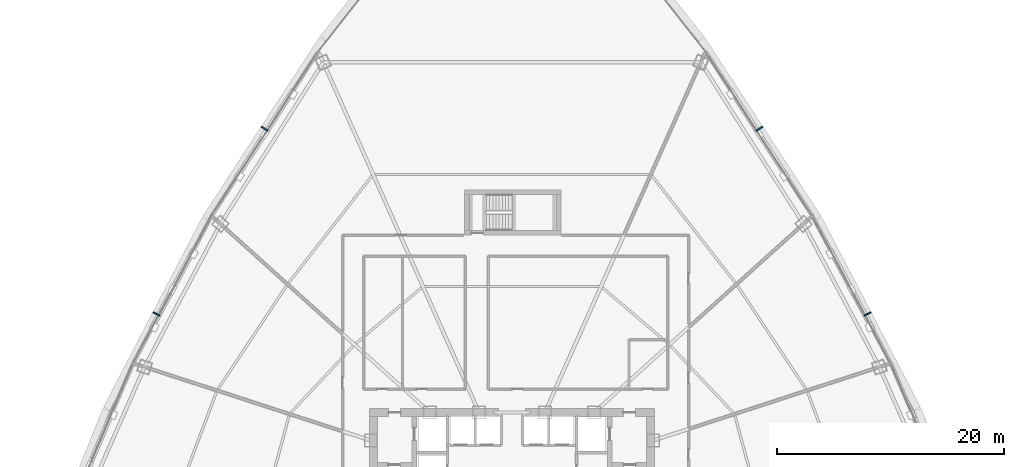
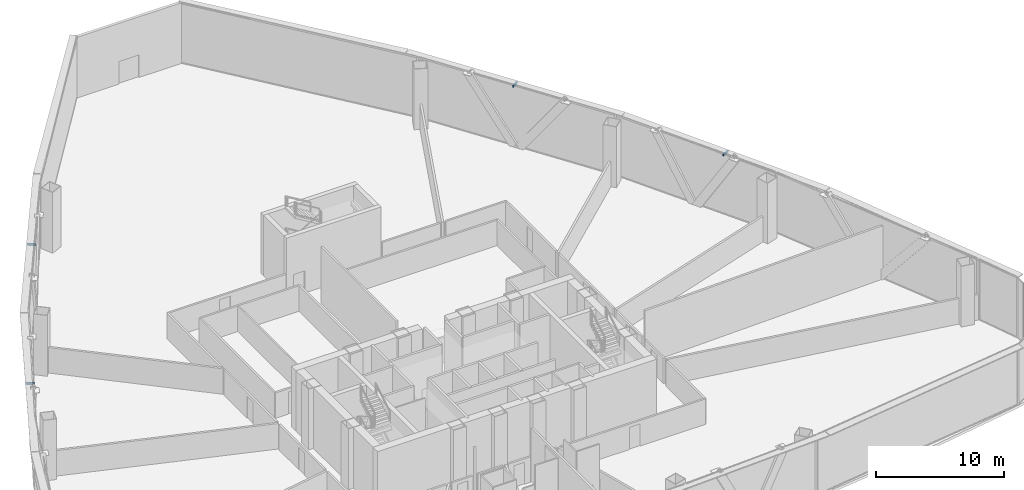
# One storey, part 37 of 41: 4 discrete accessories.
"""IFC4 building model written with IfcOpenShell, lengths in metres."""

from ifc_helpers import new_model, si_unit, direction, frame, origin, origin_2d, place, context, subcontext, project, spatial, rectangle, extrude, source, transform, mapped, material, type_object, element, save


model = new_model("IFC4")

# Units and contexts
model_context = context("Model", 3, precision=1e-05, world=origin(), true_north=direction((0.0, 1.0)))
body_context = subcontext(model_context, "Body", "Model", "MODEL_VIEW")
ifc_project = project(units=[si_unit("LENGTHUNIT", "METRE"), si_unit("AREAUNIT", "SQUARE_METRE"), si_unit("VOLUMEUNIT", "CUBIC_METRE"), si_unit("PLANEANGLEUNIT", "RADIAN"), si_unit("MASSUNIT", "GRAM", prefix="KILO"), si_unit("THERMODYNAMICTEMPERATUREUNIT", "KELVIN"), si_unit("POWERUNIT", "WATT")], contexts=[model_context])

# Site, building, storey
site_placement = place(None, origin())
site = spatial("IfcSite", under=ifc_project, at=site_placement, CompositionType="ELEMENT")
building_placement = place(site_placement, origin())
building = spatial("IfcBuilding", under=site, at=building_placement, Name="Yunzhuo Pagoda Commons", CompositionType="ELEMENT")
storey_placement = place(building_placement, frame((0.0, 0.0, 70.330078125)))
storey = spatial("IfcBuildingStorey", under=building, at=storey_placement, Name="L18", CompositionType="ELEMENT", Elevation=70.330078125)

# Discrete accessories
ifc_material = material(Name="Anodized aluminium 6063-T6", Category="aluminium")
discrete_accessory_type = type_object("IfcDiscreteAccessoryType", Name="BK-SUN1 Sunshade Outrigger Bracket", PredefinedType="BRACKET", material=ifc_material)
shared_shape = source(origin(), body_context, "Body", "SweptSolid", [
    extrude(rectangle(XDim=0.1201171875, YDim=0.679931640625, at=origin_2d()), origin(), (0.0, 0.0, 1.0), 0.179931640625),
])
for number, where, z_axis, x_axis, name in (
    (1, (79.2890625, 48.8671875, 5.56005859375), (0.0, 0.0, 1.0), (-0.461206683033, 0.88729273384, 0.0), "L18 sunshade outrigger bracket F2.2"),
    (2, (69.7705078125, 65.17333984375, 5.56005859375), (0.0, 0.0, 1.0), (-0.545838756973, 0.837890238269, 0.0), "L18 sunshade outrigger bracket F2.3"),
    (3, (26.2294921875, 65.17333984375, 5.56005859375), (0.0, 0.0, 1.0), (-0.545838756973, -0.837890238269, 0.0), "L18 sunshade outrigger bracket F3.2"),
    (4, (16.7109375, 48.8671875, 5.56005859375), (0.0, 0.0, 1.0), (-0.461206683033, -0.88729273384, 0.0), "L18 sunshade outrigger bracket F3.3"),
):
    element("IfcDiscreteAccessory", number, at=place(storey_placement, frame(where, z_axis=z_axis, x_axis=x_axis)), inside=storey, type_object=discrete_accessory_type, Name=name, PredefinedType="BRACKET", context=body_context, shape_type="MappedRepresentation", body=[
        mapped(shared_shape, transform((0.0, 0.0, 0.0), scale=1.0)),
    ])

save(model, "model.ifc")
